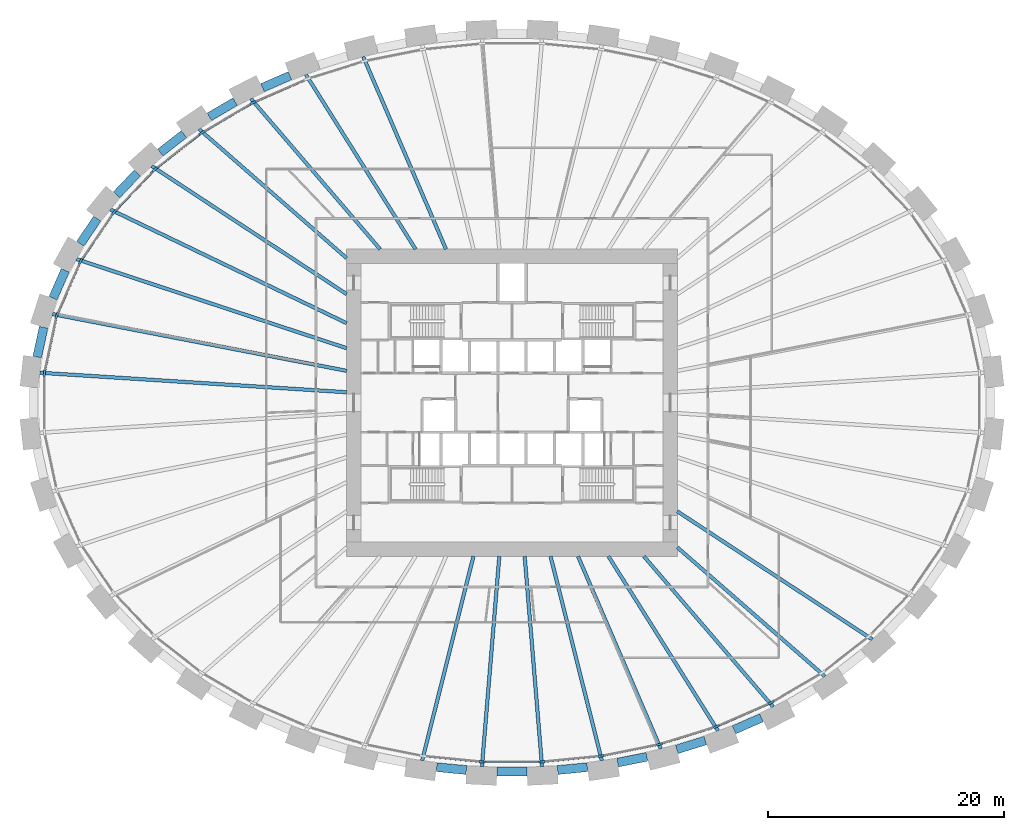
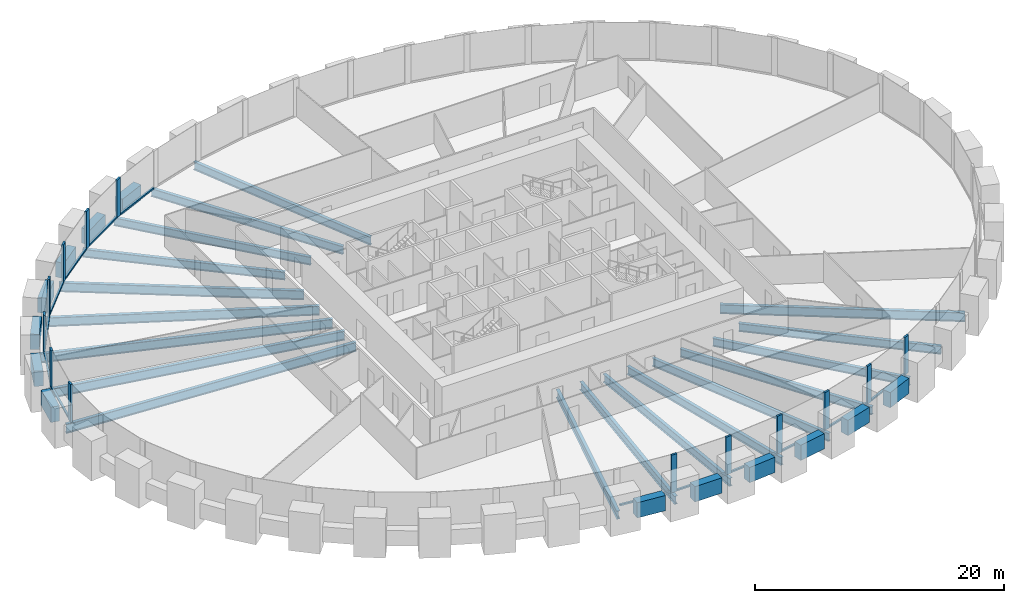
# One storey, part 2 of 11: 31 beams, 26 members, 1 element without a shape of its own.
"""IFC4 building model written with IfcOpenShell, lengths in metres."""

from ifc_helpers import new_model, si_unit, direction, frame, origin, origin_2d, place, context, subcontext, project, spatial, rectangle, i_section, extrude, source, transform, mapped, material, material_profile, profile_set, type_object, element, aggregate, save


model = new_model("IFC4")

# Units and contexts
model_context = context("Model", 3, precision=1e-05, world=origin(), true_north=direction((0.0, 1.0)))
body_context = subcontext(model_context, "Body", "Model", "MODEL_VIEW")
ifc_project = project(units=[si_unit("LENGTHUNIT", "METRE"), si_unit("AREAUNIT", "SQUARE_METRE"), si_unit("VOLUMEUNIT", "CUBIC_METRE"), si_unit("PLANEANGLEUNIT", "RADIAN"), si_unit("MASSUNIT", "GRAM", prefix="KILO")], contexts=[model_context])

# Site, building, storey
site_placement = place(None, origin())
site = spatial("IfcSite", under=ifc_project, at=site_placement, CompositionType="ELEMENT")
building_placement = place(site_placement, origin())
building = spatial("IfcBuilding", under=site, at=building_placement, Name="Embergate Tower", CompositionType="ELEMENT")
storey_placement = place(building_placement, frame((0.0, 0.0, 69.800048828125)))
storey = spatial("IfcBuildingStorey", under=building, at=storey_placement, Name="L13", CompositionType="ELEMENT", Elevation=69.800048828125)

# Beams
ifc_material_1 = material(Name="Concrete C70", Category="concrete")
ifc_material_profile_1 = material_profile(ifc_material_1, rectangle(XDim=0.75, YDim=1.5, at=origin_2d()), Name="RC 750x1500")
ifc_profile_set_1 = profile_set([ifc_material_profile_1], Name="Concrete C70")
beam_type_1 = type_object("IfcBeamType", Name="Spandrel beam RC 750x1500 C70", PredefinedType="BEAM", material=ifc_profile_set_1)
shared_shape_1 = source(origin(), body_context, "Body", "SweptSolid", [
    extrude(rectangle(XDim=0.75, YDim=1.5, at=origin_2d()), origin(), (0.0, 0.0, 1.0), 2.5498046875),
])
beam_1_placement = place(storey_placement, frame((-31.72509765625, 19.4541015625, 0.0), z_axis=(-0.689760361446, -0.724037736432, 0.0), x_axis=(0.724037736432, -0.689760361446, 0.0)))
element("IfcBeam", 1, at=beam_1_placement, inside=storey, type_object=beam_type_1, Name="SPN-L13-17", PredefinedType="BEAM", context=body_context, shape_type="MappedRepresentation", body=[
    mapped(shared_shape_1, transform((0.0, 0.0, 0.0))),
])
shared_shape_2 = source(origin(), body_context, "Body", "SweptSolid", [
    extrude(rectangle(XDim=0.75, YDim=1.5, at=origin_2d()), origin(), (0.0, 0.0, 1.0), 2.5693359375),
])
beam_2_placement = place(storey_placement, frame((-39.662109375, 6.383056640625, 0.0), z_axis=(-0.210093623492, -0.977681271871, 0.0), x_axis=(0.977681271871, -0.210093623492, 0.0)))
element("IfcBeam", 2, at=beam_2_placement, inside=storey, type_object=beam_type_1, Name="SPN-L13-20", PredefinedType="BEAM", context=body_context, shape_type="MappedRepresentation", body=[
    mapped(shared_shape_2, transform((0.0, 0.0, 0.0))),
])
shared_shape_3 = source(origin(), body_context, "Body", "SweptSolid", [
    extrude(rectangle(XDim=0.75, YDim=1.5, at=origin_2d()), origin(), (0.0, 0.0, 1.0), 2.56591796875),
])
beam_3_placement = place(storey_placement, frame((-37.83203125, 11.20703125, 0.0), z_axis=(-0.401427690069, -0.915890719271, 0.0), x_axis=(0.915890719271, -0.401427690069, 0.0)))
element("IfcBeam", 3, at=beam_3_placement, inside=storey, type_object=beam_type_1, Name="SPN-L13-19", PredefinedType="BEAM", context=body_context, shape_type="MappedRepresentation", body=[
    mapped(shared_shape_3, transform((0.0, 0.0, 0.0))),
])
shared_shape_4 = source(origin(), body_context, "Body", "SweptSolid", [
    extrude(rectangle(XDim=0.75, YDim=1.5, at=origin_2d()), origin(), (0.0, 0.0, 1.0), 2.556640625),
])
beam_4_placement = place(storey_placement, frame((-35.117919921875, 15.5859375, 0.0), z_axis=(-0.562432772417, -0.826843018058, 0.0), x_axis=(0.826843018058, -0.562432772417, 0.0)))
element("IfcBeam", 4, at=beam_4_placement, inside=storey, type_object=beam_type_1, Name="SPN-L13-18", PredefinedType="BEAM", context=body_context, shape_type="MappedRepresentation", body=[
    mapped(shared_shape_4, transform((0.0, 0.0, 0.0))),
])
shared_shape_5 = source(origin(), body_context, "Body", "SweptSolid", [
    extrude(rectangle(XDim=0.75, YDim=1.5, at=origin_2d()), origin(), (0.0, 0.0, 1.0), 2.542724609375),
])
beam_5_placement = place(storey_placement, frame((-27.779052734375, 22.748046875, 0.0), z_axis=(-0.788472504965, -0.615070003264, 0.0), x_axis=(0.615070003264, -0.788472504965, 0.0)))
element("IfcBeam", 5, at=beam_5_placement, inside=storey, type_object=beam_type_1, Name="SPN-L13-16", PredefinedType="BEAM", context=body_context, shape_type="MappedRepresentation", body=[
    mapped(shared_shape_5, transform((0.0, 0.0, 0.0))),
])
shared_shape_6 = source(origin(), body_context, "Body", "SweptSolid", [
    extrude(rectangle(XDim=0.75, YDim=1.5, at=origin_2d()), origin(), (0.0, 0.0, 1.0), 2.537109375),
])
beam_6_placement = place(storey_placement, frame((-23.44189453125, 25.49609375, 0.0), z_axis=(-0.861993577549, -0.506919196978, 0.0), x_axis=(0.506919196978, -0.861993577549, 0.0)))
element("IfcBeam", 6, at=beam_6_placement, inside=storey, type_object=beam_type_1, Name="SPN-L13-15", PredefinedType="BEAM", context=body_context, shape_type="MappedRepresentation", body=[
    mapped(shared_shape_6, transform((0.0, 0.0, 0.0))),
])
shared_shape_7 = source(origin(), body_context, "Body", "SweptSolid", [
    extrude(rectangle(XDim=0.75, YDim=1.5, at=origin_2d()), origin(), (0.0, 0.0, 1.0), 2.53466796875),
])
for number, where, z_axis, x_axis, name in (
    (7, (-18.803955078125, 27.694091796875, 0.0), (-0.91612417153, -0.400894627474, 0.0), (0.400894627474, -0.91612417153, 0.0), "SPN-L13-14"),
    (8, (18.803955078125, -27.694091796875, 0.0), (0.91612417153, 0.400894627474, 0.0), (-0.400894627474, 0.91612417153, 0.0), "SPN-L13-36"),
):
    element("IfcBeam", number, at=place(storey_placement, frame(where, z_axis=z_axis, x_axis=x_axis)), inside=storey, type_object=beam_type_1, Name=name, PredefinedType="BEAM", context=body_context, shape_type="MappedRepresentation", body=[
        mapped(shared_shape_7, transform((0.0, 0.0, 0.0))),
    ])
shared_shape_8 = source(origin(), body_context, "Body", "SweptSolid", [
    extrude(rectangle(XDim=0.75, YDim=1.5, at=origin_2d()), origin(), (0.0, 0.0, 1.0), 2.5322265625),
])
beam_7_placement = place(storey_placement, frame((13.949951171875, -29.35498046875, 0.0), z_axis=(0.954890803875, 0.296957156294, 0.0), x_axis=(-0.296957156294, 0.954890803875, 0.0)))
element("IfcBeam", 9, at=beam_7_placement, inside=storey, type_object=beam_type_1, Name="SPN-L13-35", PredefinedType="BEAM", context=body_context, shape_type="MappedRepresentation", body=[
    mapped(shared_shape_8, transform((0.0, 0.0, 0.0))),
])
shared_shape_9 = source(origin(), body_context, "Body", "SweptSolid", [
    extrude(rectangle(XDim=0.75, YDim=1.5, at=origin_2d()), origin(), (0.0, 0.0, 1.0), 2.5283203125),
])
beam_8_placement = place(storey_placement, frame((8.947021484375, -30.47607421875, 0.0), z_axis=(0.980483995477, 0.19659891814, 0.0), x_axis=(-0.19659891814, 0.980483995477, 0.0)))
element("IfcBeam", 10, at=beam_8_placement, inside=storey, type_object=beam_type_1, Name="SPN-L13-34", PredefinedType="BEAM", context=body_context, shape_type="MappedRepresentation", body=[
    mapped(shared_shape_9, transform((0.0, 0.0, 0.0))),
])
shared_shape_10 = source(origin(), body_context, "Body", "SweptSolid", [
    extrude(rectangle(XDim=0.75, YDim=1.5, at=origin_2d()), origin(), (0.0, 0.0, 1.0), 2.52685546875),
])
for number, where, z_axis, x_axis, name in (
    (11, (-6.3759765625, -30.860107421875, 0.0), (0.995218218031, -0.097676499217, 0.0), (0.097676499217, 0.995218218031, 0.0), "SPN-L13-31"),
    (12, (3.861083984375, -31.10693359375, 0.0), (0.995218218031, 0.097676499217, 0.0), (-0.097676499217, 0.995218218031, 0.0), "SPN-L13-33"),
):
    element("IfcBeam", number, at=place(storey_placement, frame(where, z_axis=z_axis, x_axis=x_axis)), inside=storey, type_object=beam_type_1, Name=name, PredefinedType="BEAM", context=body_context, shape_type="MappedRepresentation", body=[
        mapped(shared_shape_10, transform((0.0, 0.0, 0.0))),
    ])
shared_shape_11 = source(origin(), body_context, "Body", "SweptSolid", [
    extrude(rectangle(XDim=0.75, YDim=1.5, at=origin_2d()), origin(), (0.0, 0.0, 1.0), 2.52783203125),
])
beam_9_placement = place(storey_placement, frame((-1.263916015625, -31.23388671875, 0.0), z_axis=(1.0, 0.0, 0.0), x_axis=(0.0, 1.0, 0.0)))
element("IfcBeam", 13, at=beam_9_placement, inside=storey, type_object=beam_type_1, Name="SPN-L13-32", PredefinedType="BEAM", context=body_context, shape_type="MappedRepresentation", body=[
    mapped(shared_shape_11, transform((0.0, 0.0, 0.0))),
])
ifc_material_2 = material(Name="Steel Q355B", Category="steel")
ifc_material_profile_2 = material_profile(ifc_material_2, i_section(OverallWidth=0.300048828125, OverallDepth=0.89990234375, WebThickness=0.01611328125, FlangeThickness=0.028076171875, FilletRadius=0.028076171875, at=origin_2d()), Name="HN 900x300x16x28")
ifc_profile_set_2 = profile_set([ifc_material_profile_2], Name="Steel Q355 grade B")
beam_type_2 = type_object("IfcBeamType", Name="Radial girder HN 900x300x16x28", PredefinedType="BEAM", material=ifc_profile_set_2)
shared_shape_12 = source(origin(), body_context, "Body", "SweptSolid", [
    extrude(i_section(OverallWidth=0.300048828125, OverallDepth=0.89990234375, WebThickness=0.01611328125, FlangeThickness=0.028076171875, FilletRadius=0.028076171875, at=origin_2d()), origin(), (0.0, 0.0, 1.0), 26.034423828125),
])
beam_10_placement = place(storey_placement, frame((-39.98193359375, 2.5400390625, -0.650146484375), z_axis=(0.997986864702, -0.063420957753, 0.0), x_axis=(0.063420957753, 0.997986864702, 0.0)))
element("IfcBeam", 14, at=beam_10_placement, inside=storey, type_object=beam_type_2, Name="GIR-L13-21", PredefinedType="BEAM", context=body_context, shape_type="MappedRepresentation", body=[
    mapped(shared_shape_12, transform((0.0, 0.0, 0.0))),
])
shared_shape_13 = source(origin(), body_context, "Body", "SweptSolid", [
    extrude(i_section(OverallWidth=0.300048828125, OverallDepth=0.89990234375, WebThickness=0.01611328125, FlangeThickness=0.028076171875, FilletRadius=0.028076171875, at=origin_2d()), origin(), (0.0, 0.0, 1.0), 25.373291015625),
])
beam_11_placement = place(storey_placement, frame((-38.9140625, 7.507080078125, -0.650146484375), z_axis=(0.981896748495, -0.189416935078, 0.0), x_axis=(0.189416935078, 0.981896748495, 0.0)))
element("IfcBeam", 15, at=beam_11_placement, inside=storey, type_object=beam_type_2, Name="GIR-L13-20", PredefinedType="BEAM", context=body_context, shape_type="MappedRepresentation", body=[
    mapped(shared_shape_13, transform((0.0, 0.0, 0.0))),
])
shared_shape_14 = source(origin(), body_context, "Body", "SweptSolid", [
    extrude(i_section(OverallWidth=0.300048828125, OverallDepth=0.89990234375, WebThickness=0.01611328125, FlangeThickness=0.028076171875, FilletRadius=0.028076171875, at=origin_2d()), origin(), (0.0, 0.0, 1.0), 24.0849609375),
])
beam_12_placement = place(storey_placement, frame((-36.873046875, 12.160888671875, -0.650146484375), z_axis=(0.949680038857, -0.313221684748, 0.0), x_axis=(0.313221684748, 0.949680038857, 0.0)))
element("IfcBeam", 16, at=beam_12_placement, inside=storey, type_object=beam_type_2, Name="GIR-L13-19", PredefinedType="BEAM", context=body_context, shape_type="MappedRepresentation", body=[
    mapped(shared_shape_14, transform((0.0, 0.0, 0.0))),
])
shared_shape_15 = source(origin(), body_context, "Body", "SweptSolid", [
    extrude(i_section(OverallWidth=0.300048828125, OverallDepth=0.89990234375, WebThickness=0.01611328125, FlangeThickness=0.028076171875, FilletRadius=0.028076171875, at=origin_2d()), origin(), (0.0, 0.0, 1.0), 22.210693359375),
])
beam_13_placement = place(storey_placement, frame((-34.014892578125, 16.364013671875, -0.650146484375), z_axis=(0.90114054222, -0.433527073165, 0.0), x_axis=(0.433527073165, 0.90114054222, 0.0)))
element("IfcBeam", 17, at=beam_13_placement, inside=storey, type_object=beam_type_2, Name="GIR-L13-18", PredefinedType="BEAM", context=body_context, shape_type="MappedRepresentation", body=[
    mapped(shared_shape_15, transform((0.0, 0.0, 0.0))),
])
shared_shape_16 = source(origin(), body_context, "Body", "SweptSolid", [
    extrude(i_section(OverallWidth=0.300048828125, OverallDepth=0.89990234375, WebThickness=0.01611328125, FlangeThickness=0.028076171875, FilletRadius=0.028076171875, at=origin_2d()), origin(), (0.0, 0.0, 1.0), 19.75),
])
for number, where, z_axis, x_axis, name in (
    (18, (-30.506103515625, 20.04296875, -0.650146484375), (0.835749566876, -0.549110791614, 0.0), (0.549110791614, 0.835749566876, 0.0), "GIR-L13-17"),
    (19, (30.506103515625, -20.04296875, -0.650146484375), (-0.835749566876, 0.549110791614, 0.0), (-0.549110791614, -0.835749566876, 0.0), "GIR-L13-39"),
):
    element("IfcBeam", number, at=place(storey_placement, frame(where, z_axis=z_axis, x_axis=x_axis)), inside=storey, type_object=beam_type_2, Name=name, PredefinedType="BEAM", context=body_context, shape_type="MappedRepresentation", body=[
        mapped(shared_shape_16, transform((0.0, 0.0, 0.0))),
    ])
ifc_material_profile_3 = material_profile(ifc_material_2, i_section(OverallWidth=0.300048828125, OverallDepth=0.800048828125, WebThickness=0.013916015625, FlangeThickness=0.02587890625, FilletRadius=0.028076171875, at=origin_2d()), Name="HN 800x300x14x26")
ifc_profile_set_3 = profile_set([ifc_material_profile_3], Name="Steel Q355 grade B")
beam_type_3 = type_object("IfcBeamType", Name="Radial girder HN 800x300x14x26", PredefinedType="BEAM", material=ifc_profile_set_3)
shared_shape_17 = source(origin(), body_context, "Body", "SweptSolid", [
    extrude(i_section(OverallWidth=0.300048828125, OverallDepth=0.800048828125, WebThickness=0.013916015625, FlangeThickness=0.02587890625, FilletRadius=0.028076171875, at=origin_2d()), origin(), (0.0, 0.0, 1.0), 16.60205078125),
])
for number, where, z_axis, x_axis, name in (
    (20, (-26.4970703125, 23.172119140625, -0.60009765625), (0.752747930404, -0.65830885857, 0.0), (0.65830885857, 0.752747930404, 0.0), "GIR-L13-16"),
    (21, (26.4970703125, -23.172119140625, -0.60009765625), (-0.752747930404, 0.65830885857, 0.0), (-0.65830885857, -0.752747930404, 0.0), "GIR-L13-38"),
):
    element("IfcBeam", number, at=place(storey_placement, frame(where, z_axis=z_axis, x_axis=x_axis)), inside=storey, type_object=beam_type_3, Name=name, PredefinedType="BEAM", context=body_context, shape_type="MappedRepresentation", body=[
        mapped(shared_shape_17, transform((0.0, 0.0, 0.0))),
    ])
shared_shape_18 = source(origin(), body_context, "Body", "SweptSolid", [
    extrude(i_section(OverallWidth=0.300048828125, OverallDepth=0.800048828125, WebThickness=0.013916015625, FlangeThickness=0.02587890625, FilletRadius=0.028076171875, at=origin_2d()), origin(), (0.0, 0.0, 1.0), 16.805908203125),
])
for number, where, z_axis, x_axis, name in (
    (22, (-22.113037109375, 25.75, -0.60009765625), (0.651490955051, -0.758656401467, 0.0), (0.758656401467, 0.651490955051, 0.0), "GIR-L13-15"),
    (23, (22.113037109375, -25.75, -0.60009765625), (-0.651490955051, 0.758656401467, 0.0), (-0.758656401467, -0.651490955051, 0.0), "GIR-L13-37"),
):
    element("IfcBeam", number, at=place(storey_placement, frame(where, z_axis=z_axis, x_axis=x_axis)), inside=storey, type_object=beam_type_3, Name=name, PredefinedType="BEAM", context=body_context, shape_type="MappedRepresentation", body=[
        mapped(shared_shape_18, transform((0.0, 0.0, 0.0))),
    ])
shared_shape_19 = source(origin(), body_context, "Body", "SweptSolid", [
    extrude(i_section(OverallWidth=0.300048828125, OverallDepth=0.800048828125, WebThickness=0.013916015625, FlangeThickness=0.02587890625, FilletRadius=0.028076171875, at=origin_2d()), origin(), (0.0, 0.0, 1.0), 17.463623046875),
])
for number, where, z_axis, x_axis, name in (
    (24, (-17.451904296875, 27.7890625, -0.60009765625), (0.531837384954, -0.846846500828, 0.0), (0.846846500828, 0.531837384954, 0.0), "GIR-L13-14"),
    (25, (17.451904296875, -27.7890625, -0.60009765625), (-0.531837384954, 0.846846500828, 0.0), (-0.846846500828, -0.531837384954, 0.0), "GIR-L13-36"),
):
    element("IfcBeam", number, at=place(storey_placement, frame(where, z_axis=z_axis, x_axis=x_axis)), inside=storey, type_object=beam_type_3, Name=name, PredefinedType="BEAM", context=body_context, shape_type="MappedRepresentation", body=[
        mapped(shared_shape_19, transform((0.0, 0.0, 0.0))),
    ])
shared_shape_20 = source(origin(), body_context, "Body", "SweptSolid", [
    extrude(i_section(OverallWidth=0.300048828125, OverallDepth=0.800048828125, WebThickness=0.013916015625, FlangeThickness=0.02587890625, FilletRadius=0.028076171875, at=origin_2d()), origin(), (0.0, 0.0, 1.0), 17.7431640625),
])
for number, where, z_axis, x_axis, name in (
    (26, (-12.594970703125, 29.301025390625, -0.60009765625), (0.394915454917, -0.918717466617, 0.0), (0.918717466617, 0.394915454917, 0.0), "GIR-L13-13"),
    (27, (12.594970703125, -29.301025390625, -0.60009765625), (-0.394915454917, 0.918717466617, 0.0), (-0.918717466617, -0.394915454917, 0.0), "GIR-L13-35"),
):
    element("IfcBeam", number, at=place(storey_placement, frame(where, z_axis=z_axis, x_axis=x_axis)), inside=storey, type_object=beam_type_3, Name=name, PredefinedType="BEAM", context=body_context, shape_type="MappedRepresentation", body=[
        mapped(shared_shape_20, transform((0.0, 0.0, 0.0))),
    ])
shared_shape_21 = source(origin(), body_context, "Body", "SweptSolid", [
    extrude(i_section(OverallWidth=0.300048828125, OverallDepth=0.800048828125, WebThickness=0.013916015625, FlangeThickness=0.02587890625, FilletRadius=0.028076171875, at=origin_2d()), origin(), (0.0, 0.0, 1.0), 17.837890625),
])
for number, where, z_axis, x_axis, name in (
    (28, (-7.60693359375, -30.301025390625, -0.60009765625), (0.243472648056, 0.969907763475, 0.0), (-0.969907763475, 0.243472648056, 0.0), "GIR-L13-31"),
    (29, (7.60693359375, -30.301025390625, -0.60009765625), (-0.243472648056, 0.969907763475, 0.0), (-0.969907763475, -0.243472648056, 0.0), "GIR-L13-34"),
):
    element("IfcBeam", number, at=place(storey_placement, frame(where, z_axis=z_axis, x_axis=x_axis)), inside=storey, type_object=beam_type_3, Name=name, PredefinedType="BEAM", context=body_context, shape_type="MappedRepresentation", body=[
        mapped(shared_shape_21, transform((0.0, 0.0, 0.0))),
    ])
shared_shape_22 = source(origin(), body_context, "Body", "SweptSolid", [
    extrude(i_section(OverallWidth=0.300048828125, OverallDepth=0.800048828125, WebThickness=0.013916015625, FlangeThickness=0.02587890625, FilletRadius=0.028076171875, at=origin_2d()), origin(), (0.0, 0.0, 1.0), 17.859619140625),
])
for number, where, z_axis, x_axis, name in (
    (30, (-2.5439453125, -30.799072265625, -0.60009765625), (0.082306714571, 0.996607046301, 0.0), (-0.996607046301, 0.082306714571, 0.0), "GIR-L13-32"),
    (31, (2.5439453125, -30.799072265625, -0.60009765625), (-0.082306714571, 0.996607046301, 0.0), (-0.996607046301, -0.082306714571, 0.0), "GIR-L13-33"),
):
    element("IfcBeam", number, at=place(storey_placement, frame(where, z_axis=z_axis, x_axis=x_axis)), inside=storey, type_object=beam_type_3, Name=name, PredefinedType="BEAM", context=body_context, shape_type="MappedRepresentation", body=[
        mapped(shared_shape_22, transform((0.0, 0.0, 0.0))),
    ])

# Curtain wall, members
ifc_material_3 = material(Name="Aluminium and glass", Category="aluminium")
curtain_wall_type = type_object("IfcCurtainWallType", Name="Recessed office glazing", PredefinedType="NOTDEFINED", material=ifc_material_3)
curtain_wall_placement = place(storey_placement, origin())
curtain_wall = element("IfcCurtainWall", 32, at=curtain_wall_placement, inside=storey, type_object=curtain_wall_type, Name="Recessed office glazing ring", ObjectType="RECESSED OFFICE GLAZING", PredefinedType="USERDEFINED")
ifc_material_4 = material(Name="Aluminium, thermally broken", Category="aluminium")
ifc_material_profile_4 = material_profile(ifc_material_4, rectangle(XDim=0.179931640625, YDim=0.52001953125, at=origin_2d()), Name="AL 520x180")
ifc_profile_set_4 = profile_set([ifc_material_profile_4], Name="Aluminium, thermally broken")
member_type_1 = type_object("IfcMemberType", Name="Office mullion", PredefinedType="MULLION", material=ifc_profile_set_4)
shared_shape_23 = source(origin(), body_context, "Body", "SweptSolid", [
    extrude(rectangle(XDim=0.179931640625, YDim=0.52001953125, at=origin_2d()), origin(), (0.0, 0.0, 1.0), 3.699951171875),
])
member_1_placement = place(storey_placement, frame((-21.935791015625, 25.402587890625, 0.0), z_axis=(0.0, 0.0, 1.0), x_axis=(0.454516044429, -0.890738550506, 0.0)))
member_1 = element("IfcMember", 33, at=member_1_placement, type_object=member_type_1, Name="CW mullion 16", PredefinedType="MULLION", context=body_context, shape_type="MappedRepresentation", body=[
    mapped(shared_shape_23, transform((0.0, 0.0, 0.0))),
])
member_2_placement = place(storey_placement, frame((-26.278564453125, 22.849365234375, 0.0), z_axis=(0.0, 0.0, 1.0), x_axis=(0.562223392005, -0.826985403428, 0.0)))
member_2 = element("IfcMember", 34, at=member_2_placement, type_object=member_type_1, Name="CW mullion 17", PredefinedType="MULLION", context=body_context, shape_type="MappedRepresentation", body=[
    mapped(shared_shape_23, transform((0.0, 0.0, 0.0))),
])
member_3_placement = place(storey_placement, frame((-30.2451171875, 19.75341796875, 0.0), z_axis=(0.0, 0.0, 1.0), x_axis=(0.671234296295, -0.74124524921, 0.0)))
member_3 = element("IfcMember", 35, at=member_3_placement, type_object=member_type_1, Name="CW mullion 18", PredefinedType="MULLION", context=body_context, shape_type="MappedRepresentation", body=[
    mapped(shared_shape_23, transform((0.0, 0.0, 0.0))),
])
member_4_placement = place(storey_placement, frame((-33.712158203125, 16.11767578125, 0.0), z_axis=(0.0, 0.0, 1.0), x_axis=(0.777880241921, -0.628412547002, 0.0)))
member_4 = element("IfcMember", 36, at=member_4_placement, type_object=member_type_1, Name="CW mullion 19", PredefinedType="MULLION", context=body_context, shape_type="MappedRepresentation", body=[
    mapped(shared_shape_23, transform((0.0, 0.0, 0.0))),
])
member_5_placement = place(storey_placement, frame((-36.532470703125, 11.970458984375, 0.0), z_axis=(0.0, 0.0, 1.0), x_axis=(0.875007810402, -0.484108801547, 0.0)))
member_5 = element("IfcMember", 37, at=member_5_placement, type_object=member_type_1, Name="CW mullion 20", PredefinedType="MULLION", context=body_context, shape_type="MappedRepresentation", body=[
    mapped(shared_shape_23, transform((0.0, 0.0, 0.0))),
])
member_6_placement = place(storey_placement, frame((-38.543212890625, 7.3857421875, 0.0), z_axis=(0.0, 0.0, 1.0), x_axis=(0.951501019702, -0.307645590748, 0.0)))
member_6 = element("IfcMember", 38, at=member_6_placement, type_object=member_type_1, Name="CW mullion 21", PredefinedType="MULLION", context=body_context, shape_type="MappedRepresentation", body=[
    mapped(shared_shape_23, transform((0.0, 0.0, 0.0))),
])
member_7_placement = place(storey_placement, frame((-39.59521484375, 2.498291015625, 0.0), z_axis=(0.0, 0.0, 1.0), x_axis=(0.994385324123, -0.105819786286, 0.0)))
member_7 = element("IfcMember", 39, at=member_7_placement, type_object=member_type_1, Name="CW mullion 22", PredefinedType="MULLION", context=body_context, shape_type="MappedRepresentation", body=[
    mapped(shared_shape_23, transform((0.0, 0.0, 0.0))),
])
member_8_placement = place(storey_placement, frame((-2.524658203125, -30.409423828125, 0.0), z_axis=(0.0, 0.0, 1.0), x_axis=(0.048971796621, 0.998800161762, 0.0)))
member_8 = element("IfcMember", 40, at=member_8_placement, type_object=member_type_1, Name="CW mullion 33", PredefinedType="MULLION", context=body_context, shape_type="MappedRepresentation", body=[
    mapped(shared_shape_23, transform((0.0, 0.0, 0.0))),
])
member_9_placement = place(storey_placement, frame((2.524658203125, -30.409423828125, 0.0), z_axis=(0.0, 0.0, 1.0), x_axis=(-0.048971796621, 0.998800161762, 0.0)))
member_9 = element("IfcMember", 41, at=member_9_placement, type_object=member_type_1, Name="CW mullion 34", PredefinedType="MULLION", context=body_context, shape_type="MappedRepresentation", body=[
    mapped(shared_shape_23, transform((0.0, 0.0, 0.0))),
])
member_10_placement = place(storey_placement, frame((7.549560546875, -29.915283203125, 0.0), z_axis=(0.0, 0.0, 1.0), x_axis=(-0.14741410908, 0.98907486089, 0.0)))
member_10 = element("IfcMember", 42, at=member_10_placement, type_object=member_type_1, Name="CW mullion 35", PredefinedType="MULLION", context=body_context, shape_type="MappedRepresentation", body=[
    mapped(shared_shape_23, transform((0.0, 0.0, 0.0))),
])
member_11_placement = place(storey_placement, frame((12.498779296875, -28.9228515625, 0.0), z_axis=(0.0, 0.0, 1.0), x_axis=(-0.247315263593, 0.968935065107, 0.0)))
member_11 = element("IfcMember", 43, at=member_11_placement, type_object=member_type_1, Name="CW mullion 36", PredefinedType="MULLION", context=body_context, shape_type="MappedRepresentation", body=[
    mapped(shared_shape_23, transform((0.0, 0.0, 0.0))),
])
member_12_placement = place(storey_placement, frame((17.31591796875, -27.422607421875, 0.0), z_axis=(0.0, 0.0, 1.0), x_axis=(-0.349507588628, 0.936933533124, 0.0)))
member_12 = element("IfcMember", 44, at=member_12_placement, type_object=member_type_1, Name="CW mullion 37", PredefinedType="MULLION", context=body_context, shape_type="MappedRepresentation", body=[
    mapped(shared_shape_23, transform((0.0, 0.0, 0.0))),
])
member_13_placement = place(storey_placement, frame((21.935791015625, -25.402587890625, 0.0), z_axis=(0.0, 0.0, 1.0), x_axis=(-0.454516044429, 0.890738550506, 0.0)))
member_13 = element("IfcMember", 45, at=member_13_placement, type_object=member_type_1, Name="CW mullion 38", PredefinedType="MULLION", context=body_context, shape_type="MappedRepresentation", body=[
    mapped(shared_shape_23, transform((0.0, 0.0, 0.0))),
])
ifc_material_profile_5 = material_profile(ifc_material_4, rectangle(XDim=0.179931640625, YDim=0.14990234375, at=origin_2d()), Name="AL 150x180")
ifc_profile_set_5 = profile_set([ifc_material_profile_5], Name="Aluminium, thermally broken")
member_type_2 = type_object("IfcMemberType", Name="Office sill transom", PredefinedType="USERDEFINED", material=ifc_profile_set_5)
shared_shape_24 = source(origin(), body_context, "Body", "SweptSolid", [
    extrude(rectangle(XDim=0.179931640625, YDim=0.14990234375, at=origin_2d()), origin(), (0.0, 0.0, 1.0), 4.50390625),
])
member_14_placement = place(storey_placement, frame((-30.42431640625, 19.565185546875, 0.074951171875), z_axis=(-0.69015852771, -0.723658211194, 0.0), x_axis=(0.723658211194, -0.69015852771, 0.0)))
member_14 = element("IfcMember", 46, at=member_14_placement, type_object=member_type_2, Name="CW transom 18.1", ObjectType="TRANSOM", PredefinedType="USERDEFINED", context=body_context, shape_type="MappedRepresentation", body=[
    mapped(shared_shape_24, transform((0.0, 0.0, 0.0))),
])
shared_shape_25 = source(origin(), body_context, "Body", "SweptSolid", [
    extrude(rectangle(XDim=0.179931640625, YDim=0.14990234375, at=origin_2d()), origin(), (0.0, 0.0, 1.0), 4.4794921875),
])
member_15_placement = place(storey_placement, frame((-38.597900390625, 7.131591796875, 0.074951171875), z_axis=(-0.210381382065, -0.977619391216, 0.0), x_axis=(0.977619391216, -0.210381382065, 0.0)))
member_15 = element("IfcMember", 47, at=member_15_placement, type_object=member_type_2, Name="CW transom 21.1", ObjectType="TRANSOM", PredefinedType="USERDEFINED", context=body_context, shape_type="MappedRepresentation", body=[
    mapped(shared_shape_25, transform((0.0, 0.0, 0.0))),
])
shared_shape_26 = source(origin(), body_context, "Body", "SweptSolid", [
    extrude(rectangle(XDim=0.179931640625, YDim=0.14990234375, at=origin_2d()), origin(), (0.0, 0.0, 1.0), 4.486328125),
])
member_16_placement = place(storey_placement, frame((-36.636962890625, 11.732421875, 0.074951171875), z_axis=(-0.401655089719, -0.915791018138, 0.0), x_axis=(0.915791018138, -0.401655089719, 0.0)))
member_16 = element("IfcMember", 48, at=member_16_placement, type_object=member_type_2, Name="CW transom 20.1", ObjectType="TRANSOM", PredefinedType="USERDEFINED", context=body_context, shape_type="MappedRepresentation", body=[
    mapped(shared_shape_26, transform((0.0, 0.0, 0.0))),
])
shared_shape_27 = source(origin(), body_context, "Body", "SweptSolid", [
    extrude(rectangle(XDim=0.179931640625, YDim=0.14990234375, at=origin_2d()), origin(), (0.0, 0.0, 1.0), 4.4951171875),
])
member_17_placement = place(storey_placement, frame((-33.8583984375, 15.902587890625, 0.074951171875), z_axis=(-0.562347159837, -0.826901246718, 0.0), x_axis=(0.826901246718, -0.562347159837, 0.0)))
member_17 = element("IfcMember", 49, at=member_17_placement, type_object=member_type_2, Name="CW transom 19.1", ObjectType="TRANSOM", PredefinedType="USERDEFINED", context=body_context, shape_type="MappedRepresentation", body=[
    mapped(shared_shape_27, transform((0.0, 0.0, 0.0))),
])
shared_shape_28 = source(origin(), body_context, "Body", "SweptSolid", [
    extrude(rectangle(XDim=0.179931640625, YDim=0.14990234375, at=origin_2d()), origin(), (0.0, 0.0, 1.0), 4.511474609375),
])
member_18_placement = place(storey_placement, frame((-26.4833984375, 22.689208984375, 0.074951171875), z_axis=(-0.788345870827, -0.615232304052, 0.0), x_axis=(0.615232304052, -0.788345870827, 0.0)))
member_18 = element("IfcMember", 50, at=member_18_placement, type_object=member_type_2, Name="CW transom 17.1", ObjectType="TRANSOM", PredefinedType="USERDEFINED", context=body_context, shape_type="MappedRepresentation", body=[
    mapped(shared_shape_28, transform((0.0, 0.0, 0.0))),
])
shared_shape_29 = source(origin(), body_context, "Body", "SweptSolid", [
    extrude(rectangle(XDim=0.179931640625, YDim=0.14990234375, at=origin_2d()), origin(), (0.0, 0.0, 1.0), 4.517578125),
])
member_19_placement = place(storey_placement, frame((-22.159912109375, 25.270751953125, 0.074951171875), z_axis=(-0.862064774491, -0.506798110279, 0.0), x_axis=(0.506798110279, -0.862064774491, 0.0)))
member_19 = element("IfcMember", 51, at=member_19_placement, type_object=member_type_2, Name="CW transom 16.1", ObjectType="TRANSOM", PredefinedType="USERDEFINED", context=body_context, shape_type="MappedRepresentation", body=[
    mapped(shared_shape_29, transform((0.0, 0.0, 0.0))),
])
shared_shape_30 = source(origin(), body_context, "Body", "SweptSolid", [
    extrude(rectangle(XDim=0.179931640625, YDim=0.14990234375, at=origin_2d()), origin(), (0.0, 0.0, 1.0), 4.522216796875),
])
member_20_placement = place(storey_placement, frame((-17.55419921875, 27.318359375, 0.074951171875), z_axis=(-0.916232902024, -0.400646064812, 0.0), x_axis=(0.400646064812, -0.916232902024, 0.0)))
member_20 = element("IfcMember", 52, at=member_20_placement, type_object=member_type_2, Name="CW transom 15.1", ObjectType="TRANSOM", PredefinedType="USERDEFINED", context=body_context, shape_type="MappedRepresentation", body=[
    mapped(shared_shape_30, transform((0.0, 0.0, 0.0))),
])
member_21_placement = place(storey_placement, frame((17.55419921875, -27.318359375, 0.074951171875), z_axis=(0.916232902024, 0.400646064812, 0.0), x_axis=(-0.400646064812, 0.916232902024, 0.0)))
member_21 = element("IfcMember", 53, at=member_21_placement, type_object=member_type_2, Name="CW transom 37.1", ObjectType="TRANSOM", PredefinedType="USERDEFINED", context=body_context, shape_type="MappedRepresentation", body=[
    mapped(shared_shape_30, transform((0.0, 0.0, 0.0))),
])
shared_shape_31 = source(origin(), body_context, "Body", "SweptSolid", [
    extrude(rectangle(XDim=0.179931640625, YDim=0.14990234375, at=origin_2d()), origin(), (0.0, 0.0, 1.0), 4.525390625),
])
member_22_placement = place(storey_placement, frame((12.746826171875, -28.845458984375, 0.074951171875), z_axis=(0.954780911234, 0.297310295051, 0.0), x_axis=(-0.297310295051, 0.954780911234, 0.0)))
member_22 = element("IfcMember", 54, at=member_22_placement, type_object=member_type_2, Name="CW transom 36.1", ObjectType="TRANSOM", PredefinedType="USERDEFINED", context=body_context, shape_type="MappedRepresentation", body=[
    mapped(shared_shape_31, transform((0.0, 0.0, 0.0))),
])
shared_shape_32 = source(origin(), body_context, "Body", "SweptSolid", [
    extrude(rectangle(XDim=0.179931640625, YDim=0.14990234375, at=origin_2d()), origin(), (0.0, 0.0, 1.0), 4.52783203125),
])
member_23_placement = place(storey_placement, frame((7.804443359375, -29.8642578125, 0.074951171875), z_axis=(0.980485162379, 0.19659309844, 0.0), x_axis=(-0.19659309844, 0.980485162379, 0.0)))
member_23 = element("IfcMember", 55, at=member_23_placement, type_object=member_type_2, Name="CW transom 35.1", ObjectType="TRANSOM", PredefinedType="USERDEFINED", context=body_context, shape_type="MappedRepresentation", body=[
    mapped(shared_shape_32, transform((0.0, 0.0, 0.0))),
])
shared_shape_33 = source(origin(), body_context, "Body", "SweptSolid", [
    extrude(rectangle(XDim=0.179931640625, YDim=0.14990234375, at=origin_2d()), origin(), (0.0, 0.0, 1.0), 4.529052734375),
])
member_24_placement = place(storey_placement, frame((-7.290771484375, -29.94091796875, 0.074951171875), z_axis=(0.995207563955, -0.09778499193, 0.0), x_axis=(0.09778499193, 0.995207563955, 0.0)))
member_24 = element("IfcMember", 56, at=member_24_placement, type_object=member_type_2, Name="CW transom 32.1", ObjectType="TRANSOM", PredefinedType="USERDEFINED", context=body_context, shape_type="MappedRepresentation", body=[
    mapped(shared_shape_33, transform((0.0, 0.0, 0.0))),
])
member_25_placement = place(storey_placement, frame((2.783447265625, -30.3837890625, 0.074951171875), z_axis=(0.995207563955, 0.09778499193, 0.0), x_axis=(-0.09778499193, 0.995207563955, 0.0)))
member_25 = element("IfcMember", 57, at=member_25_placement, type_object=member_type_2, Name="CW transom 34.1", ObjectType="TRANSOM", PredefinedType="USERDEFINED", context=body_context, shape_type="MappedRepresentation", body=[
    mapped(shared_shape_33, transform((0.0, 0.0, 0.0))),
])
shared_shape_34 = source(origin(), body_context, "Body", "SweptSolid", [
    extrude(rectangle(XDim=0.179931640625, YDim=0.14990234375, at=origin_2d()), origin(), (0.0, 0.0, 1.0), 4.529296875),
])
member_26_placement = place(storey_placement, frame((-2.2646484375, -30.409423828125, 0.074951171875), z_axis=(1.0, 0.0, 0.0), x_axis=(0.0, 1.0, 0.0)))
member_26 = element("IfcMember", 58, at=member_26_placement, type_object=member_type_2, Name="CW transom 33.1", ObjectType="TRANSOM", PredefinedType="USERDEFINED", context=body_context, shape_type="MappedRepresentation", body=[
    mapped(shared_shape_34, transform((0.0, 0.0, 0.0))),
])
aggregate(curtain_wall, [member_1, member_2, member_3, member_4, member_5, member_6, member_7, member_8, member_9, member_10, member_11, member_12, member_13, member_20, member_19, member_18, member_14, member_17, member_16, member_15, member_24, member_26, member_25, member_23, member_22, member_21])

save(model, "model.ifc")
